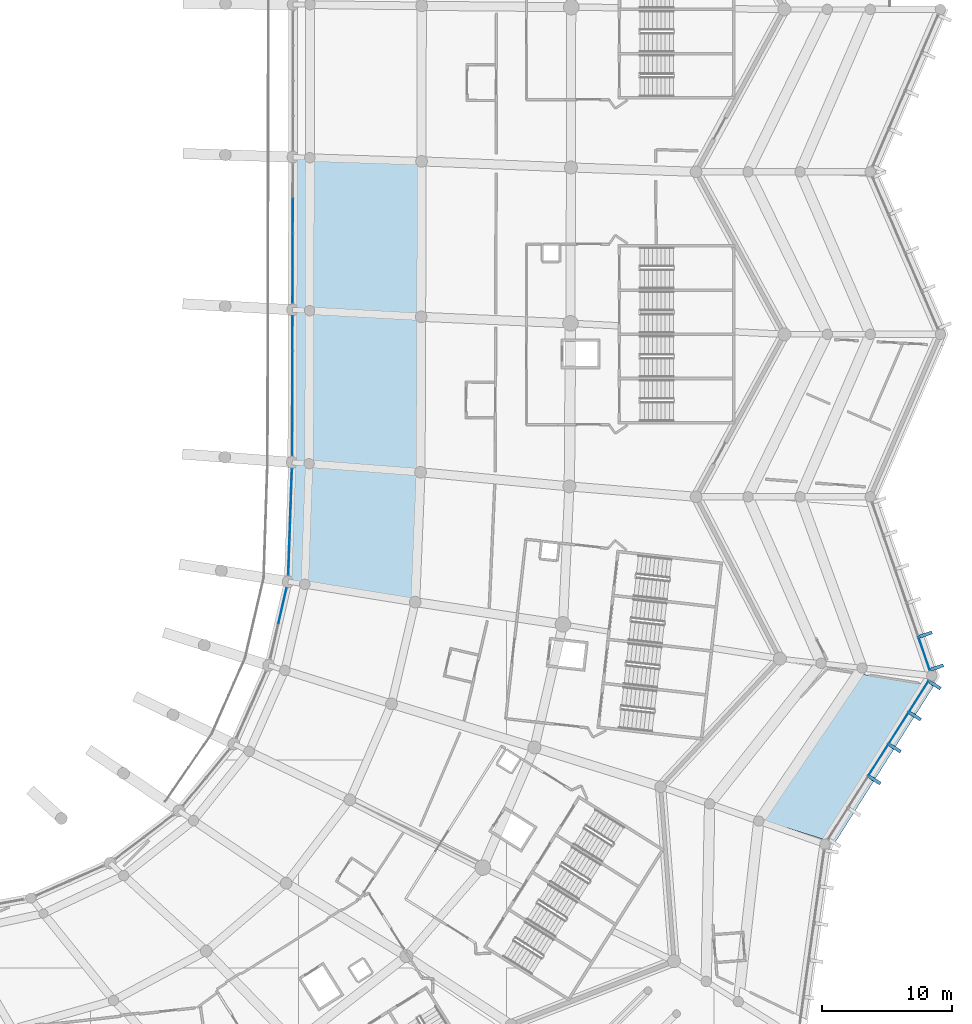
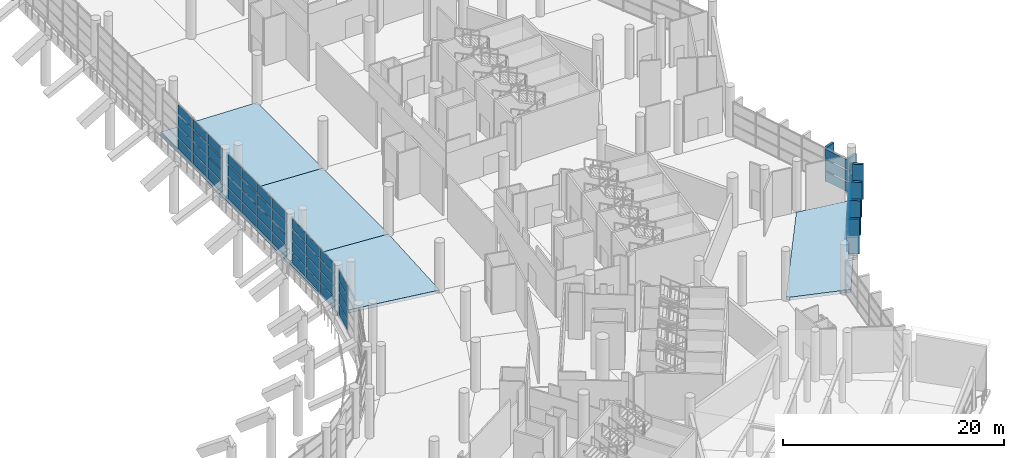
# One storey, part 132 of 271: 62 plates, 4 slabs, 6 elements without a shape of their own.
"""IFC4 building model written with IfcOpenShell, lengths in metres."""

from ifc_helpers import new_model, si_unit, direction, frame, origin, origin_2d, place, context, subcontext, project, spatial, polyline, rectangle, outline, extrude, material, layer, layer_set, type_object, element, aggregate, save


model = new_model("IFC4")

# Units and contexts
model_context = context("Model", 3, precision=1e-05, world=origin(), true_north=direction((0.0, 1.0)))
body_context = subcontext(model_context, "Body", "Model", "MODEL_VIEW")
ifc_project = project(units=[si_unit("LENGTHUNIT", "METRE"), si_unit("AREAUNIT", "SQUARE_METRE"), si_unit("VOLUMEUNIT", "CUBIC_METRE"), si_unit("PLANEANGLEUNIT", "RADIAN"), si_unit("MASSUNIT", "GRAM", prefix="KILO")], contexts=[model_context])

# Site, building, storey
site_placement = place(None, origin())
site = spatial("IfcSite", under=ifc_project, at=site_placement, CompositionType="ELEMENT")
building_placement = place(site_placement, origin())
building = spatial("IfcBuilding", under=site, at=building_placement, Name="Meseta Stadium", CompositionType="ELEMENT")
storey_placement = place(building_placement, frame((0.0, 0.0, 6.5)))
storey = spatial("IfcBuildingStorey", under=building, at=storey_placement, Name="L01", CompositionType="ELEMENT", Elevation=6.5)

# Curtain wall, plates
ifc_material_1 = material(Name="Aluminium", Category="aluminium")
ifc_layer_1 = layer(ifc_material_1, 0.199951171875)
ifc_layer_set_1 = layer_set([ifc_layer_1], Name="Club glazing curtain wall")
curtain_wall_type_1 = type_object("IfcCurtainWallType", Name="Club glazing curtain wall", PredefinedType="NOTDEFINED", material=ifc_layer_set_1)
curtain_wall_1_placement = place(storey_placement, origin())
curtain_wall_1 = element("IfcCurtainWall", 1, at=curtain_wall_1_placement, inside=storey, type_object=curtain_wall_type_1, Name="Club glazing bay 00", PredefinedType="NOTDEFINED")
ifc_material_2 = material(Name="Glass", Category="glass")
ifc_layer_2 = layer(ifc_material_2, 0.028076171875)
ifc_layer_set_2 = layer_set([ifc_layer_2], Name="CW glass panel 28")
plate_type_1 = type_object("IfcPlateType", Name="CW glass panel 28", PredefinedType="CURTAIN_PANEL", material=ifc_layer_set_2)
plate_1_placement = place(storey_placement, frame((63.282470703125, -48.40283203125, 0.1201171875), z_axis=(0.0, 0.0, 1.0), x_axis=(0.034398287063, 0.999408203812, 0.0)))
plate_1 = element("IfcPlate", 2, at=plate_1_placement, type_object=plate_type_1, Name="CWC panel 1.1", PredefinedType="CURTAIN_PANEL", context=body_context, shape_type="SweptSolid", body=[
    extrude(rectangle(XDim=2.6572265625, YDim=0.028076171875, at=origin_2d()), origin(), (0.0, 0.0, 1.0), 1.107421875),
])
plate_2_placement = place(storey_placement, frame((63.282470703125, -48.40283203125, 1.347412109375), z_axis=(0.0, 0.0, 1.0), x_axis=(0.034398287063, 0.999408203812, 0.0)))
plate_2 = element("IfcPlate", 3, at=plate_2_placement, type_object=plate_type_1, Name="CWC panel 1.2", PredefinedType="CURTAIN_PANEL", context=body_context, shape_type="SweptSolid", body=[
    extrude(rectangle(XDim=2.6572265625, YDim=0.028076171875, at=origin_2d()), origin(), (0.0, 0.0, 1.0), 1.16748046875),
])
plate_3_placement = place(storey_placement, frame((63.282470703125, -48.40283203125, 2.635009765625), z_axis=(0.0, 0.0, 1.0), x_axis=(0.034398287063, 0.999408203812, 0.0)))
plate_3 = element("IfcPlate", 4, at=plate_3_placement, type_object=plate_type_1, Name="CWC panel 1.3", PredefinedType="CURTAIN_PANEL", context=body_context, shape_type="SweptSolid", body=[
    extrude(rectangle(XDim=2.6572265625, YDim=0.028076171875, at=origin_2d()), origin(), (0.0, 0.0, 1.0), 1.16748046875),
])
plate_4_placement = place(storey_placement, frame((63.282470703125, -48.40283203125, 3.922607421875), z_axis=(0.0, 0.0, 1.0), x_axis=(0.034398287063, 0.999408203812, 0.0)))
plate_4 = element("IfcPlate", 5, at=plate_4_placement, type_object=plate_type_1, Name="CWC panel 1.4", PredefinedType="CURTAIN_PANEL", context=body_context, shape_type="SweptSolid", body=[
    extrude(rectangle(XDim=2.6572265625, YDim=0.028076171875, at=origin_2d()), origin(), (0.0, 0.0, 1.0), 1.107421875),
])
plate_5_placement = place(storey_placement, frame((63.37646484375, -45.672119140625, 0.1201171875), z_axis=(0.0, 0.0, 1.0), x_axis=(0.034398287063, 0.999408203812, 0.0)))
plate_5 = element("IfcPlate", 6, at=plate_5_placement, type_object=plate_type_1, Name="CWC panel 2.1", PredefinedType="CURTAIN_PANEL", context=body_context, shape_type="SweptSolid", body=[
    extrude(rectangle(XDim=2.687255859375, YDim=0.028076171875, at=origin_2d()), origin(), (0.0, 0.0, 1.0), 1.107421875),
])
plate_6_placement = place(storey_placement, frame((63.37646484375, -45.672119140625, 1.347412109375), z_axis=(0.0, 0.0, 1.0), x_axis=(0.034398287063, 0.999408203812, 0.0)))
plate_6 = element("IfcPlate", 7, at=plate_6_placement, type_object=plate_type_1, Name="CWC panel 2.2", PredefinedType="CURTAIN_PANEL", context=body_context, shape_type="SweptSolid", body=[
    extrude(rectangle(XDim=2.687255859375, YDim=0.028076171875, at=origin_2d()), origin(), (0.0, 0.0, 1.0), 1.16748046875),
])
plate_7_placement = place(storey_placement, frame((63.37646484375, -45.672119140625, 2.635009765625), z_axis=(0.0, 0.0, 1.0), x_axis=(0.034398287063, 0.999408203812, 0.0)))
plate_7 = element("IfcPlate", 8, at=plate_7_placement, type_object=plate_type_1, Name="CWC panel 2.3", PredefinedType="CURTAIN_PANEL", context=body_context, shape_type="SweptSolid", body=[
    extrude(rectangle(XDim=2.687255859375, YDim=0.028076171875, at=origin_2d()), origin(), (0.0, 0.0, 1.0), 1.16748046875),
])
plate_8_placement = place(storey_placement, frame((63.37646484375, -45.672119140625, 3.922607421875), z_axis=(0.0, 0.0, 1.0), x_axis=(0.034398287063, 0.999408203812, 0.0)))
plate_8 = element("IfcPlate", 9, at=plate_8_placement, type_object=plate_type_1, Name="CWC panel 2.4", PredefinedType="CURTAIN_PANEL", context=body_context, shape_type="SweptSolid", body=[
    extrude(rectangle(XDim=2.687255859375, YDim=0.028076171875, at=origin_2d()), origin(), (0.0, 0.0, 1.0), 1.107421875),
])
plate_9_placement = place(storey_placement, frame((63.470458984375, -42.941650390625, 0.1201171875), z_axis=(0.0, 0.0, 1.0), x_axis=(0.034398287063, 0.999408203812, 0.0)))
plate_9 = element("IfcPlate", 10, at=plate_9_placement, type_object=plate_type_1, Name="CWC panel 3.1", PredefinedType="CURTAIN_PANEL", context=body_context, shape_type="SweptSolid", body=[
    extrude(rectangle(XDim=2.6572265625, YDim=0.028076171875, at=origin_2d()), origin(), (0.0, 0.0, 1.0), 1.107421875),
])
plate_10_placement = place(storey_placement, frame((63.470458984375, -42.941650390625, 1.347412109375), z_axis=(0.0, 0.0, 1.0), x_axis=(0.034398287063, 0.999408203812, 0.0)))
plate_10 = element("IfcPlate", 11, at=plate_10_placement, type_object=plate_type_1, Name="CWC panel 3.2", PredefinedType="CURTAIN_PANEL", context=body_context, shape_type="SweptSolid", body=[
    extrude(rectangle(XDim=2.6572265625, YDim=0.028076171875, at=origin_2d()), origin(), (0.0, 0.0, 1.0), 1.16748046875),
])
plate_11_placement = place(storey_placement, frame((63.470458984375, -42.941650390625, 2.635009765625), z_axis=(0.0, 0.0, 1.0), x_axis=(0.034398287063, 0.999408203812, 0.0)))
plate_11 = element("IfcPlate", 12, at=plate_11_placement, type_object=plate_type_1, Name="CWC panel 3.3", PredefinedType="CURTAIN_PANEL", context=body_context, shape_type="SweptSolid", body=[
    extrude(rectangle(XDim=2.6572265625, YDim=0.028076171875, at=origin_2d()), origin(), (0.0, 0.0, 1.0), 1.16748046875),
])
plate_12_placement = place(storey_placement, frame((63.470458984375, -42.941650390625, 3.922607421875), z_axis=(0.0, 0.0, 1.0), x_axis=(0.034398287063, 0.999408203812, 0.0)))
plate_12 = element("IfcPlate", 13, at=plate_12_placement, type_object=plate_type_1, Name="CWC panel 3.4", PredefinedType="CURTAIN_PANEL", context=body_context, shape_type="SweptSolid", body=[
    extrude(rectangle(XDim=2.6572265625, YDim=0.028076171875, at=origin_2d()), origin(), (0.0, 0.0, 1.0), 1.107421875),
])
aggregate(curtain_wall_1, [plate_1, plate_2, plate_3, plate_4, plate_5, plate_6, plate_7, plate_8, plate_9, plate_10, plate_11, plate_12])

curtain_wall_2_placement = place(storey_placement, origin())
curtain_wall_2 = element("IfcCurtainWall", 14, at=curtain_wall_2_placement, inside=storey, type_object=curtain_wall_type_1, Name="Club glazing bay 01", PredefinedType="NOTDEFINED")
plate_13_placement = place(storey_placement, frame((63.538818359375, -39.2578125, 0.1201171875), z_axis=(0.0, 0.0, 1.0), x_axis=(0.002758360998, 0.999996195715, 0.0)))
plate_13 = element("IfcPlate", 15, at=plate_13_placement, type_object=plate_type_1, Name="CWC panel 1.1", PredefinedType="CURTAIN_PANEL", context=body_context, shape_type="SweptSolid", body=[
    extrude(rectangle(XDim=2.613037109375, YDim=0.028076171875, at=origin_2d()), origin(), (0.0, 0.0, 1.0), 1.107421875),
])
plate_14_placement = place(storey_placement, frame((63.538818359375, -39.2578125, 1.347412109375), z_axis=(0.0, 0.0, 1.0), x_axis=(0.002758360998, 0.999996195715, 0.0)))
plate_14 = element("IfcPlate", 16, at=plate_14_placement, type_object=plate_type_1, Name="CWC panel 1.2", PredefinedType="CURTAIN_PANEL", context=body_context, shape_type="SweptSolid", body=[
    extrude(rectangle(XDim=2.613037109375, YDim=0.028076171875, at=origin_2d()), origin(), (0.0, 0.0, 1.0), 1.16748046875),
])
plate_15_placement = place(storey_placement, frame((63.538818359375, -39.2578125, 2.635009765625), z_axis=(0.0, 0.0, 1.0), x_axis=(0.002758360998, 0.999996195715, 0.0)))
plate_15 = element("IfcPlate", 17, at=plate_15_placement, type_object=plate_type_1, Name="CWC panel 1.3", PredefinedType="CURTAIN_PANEL", context=body_context, shape_type="SweptSolid", body=[
    extrude(rectangle(XDim=2.613037109375, YDim=0.028076171875, at=origin_2d()), origin(), (0.0, 0.0, 1.0), 1.16748046875),
])
plate_16_placement = place(storey_placement, frame((63.538818359375, -39.2578125, 3.922607421875), z_axis=(0.0, 0.0, 1.0), x_axis=(0.002758360998, 0.999996195715, 0.0)))
plate_16 = element("IfcPlate", 18, at=plate_16_placement, type_object=plate_type_1, Name="CWC panel 1.4", PredefinedType="CURTAIN_PANEL", context=body_context, shape_type="SweptSolid", body=[
    extrude(rectangle(XDim=2.613037109375, YDim=0.028076171875, at=origin_2d()), origin(), (0.0, 0.0, 1.0), 1.107421875),
])
plate_17_placement = place(storey_placement, frame((63.546142578125, -36.56982421875, 0.1201171875), z_axis=(0.0, 0.0, 1.0), x_axis=(0.002758360998, 0.999996195715, 0.0)))
plate_17 = element("IfcPlate", 19, at=plate_17_placement, type_object=plate_type_1, Name="CWC panel 2.1", PredefinedType="CURTAIN_PANEL", context=body_context, shape_type="SweptSolid", body=[
    extrude(rectangle(XDim=2.64306640625, YDim=0.028076171875, at=origin_2d()), origin(), (0.0, 0.0, 1.0), 1.107421875),
])
plate_18_placement = place(storey_placement, frame((63.546142578125, -36.56982421875, 1.347412109375), z_axis=(0.0, 0.0, 1.0), x_axis=(0.002758360998, 0.999996195715, 0.0)))
plate_18 = element("IfcPlate", 20, at=plate_18_placement, type_object=plate_type_1, Name="CWC panel 2.2", PredefinedType="CURTAIN_PANEL", context=body_context, shape_type="SweptSolid", body=[
    extrude(rectangle(XDim=2.64306640625, YDim=0.028076171875, at=origin_2d()), origin(), (0.0, 0.0, 1.0), 1.16748046875),
])
plate_19_placement = place(storey_placement, frame((63.546142578125, -36.56982421875, 2.635009765625), z_axis=(0.0, 0.0, 1.0), x_axis=(0.002758360998, 0.999996195715, 0.0)))
plate_19 = element("IfcPlate", 21, at=plate_19_placement, type_object=plate_type_1, Name="CWC panel 2.3", PredefinedType="CURTAIN_PANEL", context=body_context, shape_type="SweptSolid", body=[
    extrude(rectangle(XDim=2.64306640625, YDim=0.028076171875, at=origin_2d()), origin(), (0.0, 0.0, 1.0), 1.16748046875),
])
plate_20_placement = place(storey_placement, frame((63.546142578125, -36.56982421875, 3.922607421875), z_axis=(0.0, 0.0, 1.0), x_axis=(0.002758360998, 0.999996195715, 0.0)))
plate_20 = element("IfcPlate", 22, at=plate_20_placement, type_object=plate_type_1, Name="CWC panel 2.4", PredefinedType="CURTAIN_PANEL", context=body_context, shape_type="SweptSolid", body=[
    extrude(rectangle(XDim=2.64306640625, YDim=0.028076171875, at=origin_2d()), origin(), (0.0, 0.0, 1.0), 1.107421875),
])
plate_21_placement = place(storey_placement, frame((63.5537109375, -33.86669921875, 0.1201171875), z_axis=(0.0, 0.0, 1.0), x_axis=(0.002758360998, 0.999996195715, 0.0)))
plate_21 = element("IfcPlate", 23, at=plate_21_placement, type_object=plate_type_1, Name="CWC panel 3.1", PredefinedType="CURTAIN_PANEL", context=body_context, shape_type="SweptSolid", body=[
    extrude(rectangle(XDim=2.64306640625, YDim=0.028076171875, at=origin_2d()), origin(), (0.0, 0.0, 1.0), 1.107421875),
])
plate_22_placement = place(storey_placement, frame((63.5537109375, -33.86669921875, 1.347412109375), z_axis=(0.0, 0.0, 1.0), x_axis=(0.002758360998, 0.999996195715, 0.0)))
plate_22 = element("IfcPlate", 24, at=plate_22_placement, type_object=plate_type_1, Name="CWC panel 3.2", PredefinedType="CURTAIN_PANEL", context=body_context, shape_type="SweptSolid", body=[
    extrude(rectangle(XDim=2.64306640625, YDim=0.028076171875, at=origin_2d()), origin(), (0.0, 0.0, 1.0), 1.16748046875),
])
plate_23_placement = place(storey_placement, frame((63.5537109375, -33.86669921875, 2.635009765625), z_axis=(0.0, 0.0, 1.0), x_axis=(0.002758360998, 0.999996195715, 0.0)))
plate_23 = element("IfcPlate", 25, at=plate_23_placement, type_object=plate_type_1, Name="CWC panel 3.3", PredefinedType="CURTAIN_PANEL", context=body_context, shape_type="SweptSolid", body=[
    extrude(rectangle(XDim=2.64306640625, YDim=0.028076171875, at=origin_2d()), origin(), (0.0, 0.0, 1.0), 1.16748046875),
])
plate_24_placement = place(storey_placement, frame((63.5537109375, -33.86669921875, 3.922607421875), z_axis=(0.0, 0.0, 1.0), x_axis=(0.002758360998, 0.999996195715, 0.0)))
plate_24 = element("IfcPlate", 26, at=plate_24_placement, type_object=plate_type_1, Name="CWC panel 3.4", PredefinedType="CURTAIN_PANEL", context=body_context, shape_type="SweptSolid", body=[
    extrude(rectangle(XDim=2.64306640625, YDim=0.028076171875, at=origin_2d()), origin(), (0.0, 0.0, 1.0), 1.107421875),
])
plate_25_placement = place(storey_placement, frame((63.56103515625, -31.1787109375, 0.1201171875), z_axis=(0.0, 0.0, 1.0), x_axis=(0.002758360998, 0.999996195715, 0.0)))
plate_25 = element("IfcPlate", 27, at=plate_25_placement, type_object=plate_type_1, Name="CWC panel 4.1", PredefinedType="CURTAIN_PANEL", context=body_context, shape_type="SweptSolid", body=[
    extrude(rectangle(XDim=2.613037109375, YDim=0.028076171875, at=origin_2d()), origin(), (0.0, 0.0, 1.0), 1.107421875),
])
plate_26_placement = place(storey_placement, frame((63.56103515625, -31.1787109375, 1.347412109375), z_axis=(0.0, 0.0, 1.0), x_axis=(0.002758360998, 0.999996195715, 0.0)))
plate_26 = element("IfcPlate", 28, at=plate_26_placement, type_object=plate_type_1, Name="CWC panel 4.2", PredefinedType="CURTAIN_PANEL", context=body_context, shape_type="SweptSolid", body=[
    extrude(rectangle(XDim=2.613037109375, YDim=0.028076171875, at=origin_2d()), origin(), (0.0, 0.0, 1.0), 1.16748046875),
])
plate_27_placement = place(storey_placement, frame((63.56103515625, -31.1787109375, 2.635009765625), z_axis=(0.0, 0.0, 1.0), x_axis=(0.002758360998, 0.999996195715, 0.0)))
plate_27 = element("IfcPlate", 29, at=plate_27_placement, type_object=plate_type_1, Name="CWC panel 4.3", PredefinedType="CURTAIN_PANEL", context=body_context, shape_type="SweptSolid", body=[
    extrude(rectangle(XDim=2.613037109375, YDim=0.028076171875, at=origin_2d()), origin(), (0.0, 0.0, 1.0), 1.16748046875),
])
plate_28_placement = place(storey_placement, frame((63.56103515625, -31.1787109375, 3.922607421875), z_axis=(0.0, 0.0, 1.0), x_axis=(0.002758360998, 0.999996195715, 0.0)))
plate_28 = element("IfcPlate", 30, at=plate_28_placement, type_object=plate_type_1, Name="CWC panel 4.4", PredefinedType="CURTAIN_PANEL", context=body_context, shape_type="SweptSolid", body=[
    extrude(rectangle(XDim=2.613037109375, YDim=0.028076171875, at=origin_2d()), origin(), (0.0, 0.0, 1.0), 1.107421875),
])
aggregate(curtain_wall_2, [plate_13, plate_14, plate_15, plate_16, plate_17, plate_18, plate_19, plate_20, plate_21, plate_22, plate_23, plate_24, plate_25, plate_26, plate_27, plate_28])

curtain_wall_3_placement = place(storey_placement, origin())
curtain_wall_3 = element("IfcCurtainWall", 31, at=curtain_wall_3_placement, inside=storey, type_object=curtain_wall_type_1, Name="Club glazing bay 02", PredefinedType="NOTDEFINED")
plate_29_placement = place(storey_placement, frame((63.569580078125, -27.515869140625, 0.1201171875), z_axis=(0.0, 0.0, 1.0), x_axis=(0.0018452545, 0.999998297516, 0.0)))
plate_29 = element("IfcPlate", 32, at=plate_29_placement, type_object=plate_type_1, Name="CWC panel 1.1", PredefinedType="CURTAIN_PANEL", context=body_context, shape_type="SweptSolid", body=[
    extrude(rectangle(XDim=2.61376953125, YDim=0.028076171875, at=origin_2d()), origin(), (0.0, 0.0, 1.0), 1.107421875),
])
plate_30_placement = place(storey_placement, frame((63.569580078125, -27.515869140625, 1.347412109375), z_axis=(0.0, 0.0, 1.0), x_axis=(0.0018452545, 0.999998297516, 0.0)))
plate_30 = element("IfcPlate", 33, at=plate_30_placement, type_object=plate_type_1, Name="CWC panel 1.2", PredefinedType="CURTAIN_PANEL", context=body_context, shape_type="SweptSolid", body=[
    extrude(rectangle(XDim=2.61376953125, YDim=0.028076171875, at=origin_2d()), origin(), (0.0, 0.0, 1.0), 1.16748046875),
])
plate_31_placement = place(storey_placement, frame((63.569580078125, -27.515869140625, 2.635009765625), z_axis=(0.0, 0.0, 1.0), x_axis=(0.0018452545, 0.999998297516, 0.0)))
plate_31 = element("IfcPlate", 34, at=plate_31_placement, type_object=plate_type_1, Name="CWC panel 1.3", PredefinedType="CURTAIN_PANEL", context=body_context, shape_type="SweptSolid", body=[
    extrude(rectangle(XDim=2.61376953125, YDim=0.028076171875, at=origin_2d()), origin(), (0.0, 0.0, 1.0), 1.16748046875),
])
plate_32_placement = place(storey_placement, frame((63.569580078125, -27.515869140625, 3.922607421875), z_axis=(0.0, 0.0, 1.0), x_axis=(0.0018452545, 0.999998297516, 0.0)))
plate_32 = element("IfcPlate", 35, at=plate_32_placement, type_object=plate_type_1, Name="CWC panel 1.4", PredefinedType="CURTAIN_PANEL", context=body_context, shape_type="SweptSolid", body=[
    extrude(rectangle(XDim=2.61376953125, YDim=0.028076171875, at=origin_2d()), origin(), (0.0, 0.0, 1.0), 1.107421875),
])
plate_33_placement = place(storey_placement, frame((63.574462890625, -24.8271484375, 0.1201171875), z_axis=(0.0, 0.0, 1.0), x_axis=(0.0018452545, 0.999998297516, 0.0)))
plate_33 = element("IfcPlate", 36, at=plate_33_placement, type_object=plate_type_1, Name="CWC panel 2.1", PredefinedType="CURTAIN_PANEL", context=body_context, shape_type="SweptSolid", body=[
    extrude(rectangle(XDim=2.6435546875, YDim=0.028076171875, at=origin_2d()), origin(), (0.0, 0.0, 1.0), 1.107421875),
])
plate_34_placement = place(storey_placement, frame((63.574462890625, -24.8271484375, 1.347412109375), z_axis=(0.0, 0.0, 1.0), x_axis=(0.0018452545, 0.999998297516, 0.0)))
plate_34 = element("IfcPlate", 37, at=plate_34_placement, type_object=plate_type_1, Name="CWC panel 2.2", PredefinedType="CURTAIN_PANEL", context=body_context, shape_type="SweptSolid", body=[
    extrude(rectangle(XDim=2.6435546875, YDim=0.028076171875, at=origin_2d()), origin(), (0.0, 0.0, 1.0), 1.16748046875),
])
plate_35_placement = place(storey_placement, frame((63.574462890625, -24.8271484375, 2.635009765625), z_axis=(0.0, 0.0, 1.0), x_axis=(0.0018452545, 0.999998297516, 0.0)))
plate_35 = element("IfcPlate", 38, at=plate_35_placement, type_object=plate_type_1, Name="CWC panel 2.3", PredefinedType="CURTAIN_PANEL", context=body_context, shape_type="SweptSolid", body=[
    extrude(rectangle(XDim=2.6435546875, YDim=0.028076171875, at=origin_2d()), origin(), (0.0, 0.0, 1.0), 1.16748046875),
])
plate_36_placement = place(storey_placement, frame((63.574462890625, -24.8271484375, 3.922607421875), z_axis=(0.0, 0.0, 1.0), x_axis=(0.0018452545, 0.999998297516, 0.0)))
plate_36 = element("IfcPlate", 39, at=plate_36_placement, type_object=plate_type_1, Name="CWC panel 2.4", PredefinedType="CURTAIN_PANEL", context=body_context, shape_type="SweptSolid", body=[
    extrude(rectangle(XDim=2.6435546875, YDim=0.028076171875, at=origin_2d()), origin(), (0.0, 0.0, 1.0), 1.107421875),
])
plate_37_placement = place(storey_placement, frame((63.57958984375, -22.12353515625, 0.1201171875), z_axis=(0.0, 0.0, 1.0), x_axis=(0.0018452545, 0.999998297516, 0.0)))
plate_37 = element("IfcPlate", 40, at=plate_37_placement, type_object=plate_type_1, Name="CWC panel 3.1", PredefinedType="CURTAIN_PANEL", context=body_context, shape_type="SweptSolid", body=[
    extrude(rectangle(XDim=2.6435546875, YDim=0.028076171875, at=origin_2d()), origin(), (0.0, 0.0, 1.0), 1.107421875),
])
plate_38_placement = place(storey_placement, frame((63.57958984375, -22.12353515625, 1.347412109375), z_axis=(0.0, 0.0, 1.0), x_axis=(0.0018452545, 0.999998297516, 0.0)))
plate_38 = element("IfcPlate", 41, at=plate_38_placement, type_object=plate_type_1, Name="CWC panel 3.2", PredefinedType="CURTAIN_PANEL", context=body_context, shape_type="SweptSolid", body=[
    extrude(rectangle(XDim=2.6435546875, YDim=0.028076171875, at=origin_2d()), origin(), (0.0, 0.0, 1.0), 1.16748046875),
])
plate_39_placement = place(storey_placement, frame((63.57958984375, -22.12353515625, 2.635009765625), z_axis=(0.0, 0.0, 1.0), x_axis=(0.0018452545, 0.999998297516, 0.0)))
plate_39 = element("IfcPlate", 42, at=plate_39_placement, type_object=plate_type_1, Name="CWC panel 3.3", PredefinedType="CURTAIN_PANEL", context=body_context, shape_type="SweptSolid", body=[
    extrude(rectangle(XDim=2.6435546875, YDim=0.028076171875, at=origin_2d()), origin(), (0.0, 0.0, 1.0), 1.16748046875),
])
plate_40_placement = place(storey_placement, frame((63.57958984375, -22.12353515625, 3.922607421875), z_axis=(0.0, 0.0, 1.0), x_axis=(0.0018452545, 0.999998297516, 0.0)))
plate_40 = element("IfcPlate", 43, at=plate_40_placement, type_object=plate_type_1, Name="CWC panel 3.4", PredefinedType="CURTAIN_PANEL", context=body_context, shape_type="SweptSolid", body=[
    extrude(rectangle(XDim=2.6435546875, YDim=0.028076171875, at=origin_2d()), origin(), (0.0, 0.0, 1.0), 1.107421875),
])
aggregate(curtain_wall_3, [plate_29, plate_30, plate_31, plate_32, plate_33, plate_34, plate_35, plate_36, plate_37, plate_38, plate_39, plate_40])

curtain_wall_4_placement = place(storey_placement, origin())
curtain_wall_4 = element("IfcCurtainWall", 44, at=curtain_wall_4_placement, inside=storey, type_object=curtain_wall_type_1, Name="Club glazing bay 55", PredefinedType="NOTDEFINED")
plate_41_placement = place(storey_placement, frame((62.786865234375, -52.132080078125, 0.1201171875), z_axis=(0.0, 0.0, 1.0), x_axis=(0.226048245529, 0.974116107399, 0.0)))
plate_41 = element("IfcPlate", 45, at=plate_41_placement, type_object=plate_type_1, Name="CWC panel 2.1", PredefinedType="CURTAIN_PANEL", context=body_context, shape_type="SweptSolid", body=[
    extrude(rectangle(XDim=2.736572265625, YDim=0.028076171875, at=origin_2d()), origin(), (0.0, 0.0, 1.0), 1.107421875),
])
plate_42_placement = place(storey_placement, frame((62.786865234375, -52.132080078125, 1.347412109375), z_axis=(0.0, 0.0, 1.0), x_axis=(0.226048245529, 0.974116107399, 0.0)))
plate_42 = element("IfcPlate", 46, at=plate_42_placement, type_object=plate_type_1, Name="CWC panel 2.2", PredefinedType="CURTAIN_PANEL", context=body_context, shape_type="SweptSolid", body=[
    extrude(rectangle(XDim=2.736572265625, YDim=0.028076171875, at=origin_2d()), origin(), (0.0, 0.0, 1.0), 1.16748046875),
])
plate_43_placement = place(storey_placement, frame((62.786865234375, -52.132080078125, 2.635009765625), z_axis=(0.0, 0.0, 1.0), x_axis=(0.226048245529, 0.974116107399, 0.0)))
plate_43 = element("IfcPlate", 47, at=plate_43_placement, type_object=plate_type_1, Name="CWC panel 2.3", PredefinedType="CURTAIN_PANEL", context=body_context, shape_type="SweptSolid", body=[
    extrude(rectangle(XDim=2.736572265625, YDim=0.028076171875, at=origin_2d()), origin(), (0.0, 0.0, 1.0), 1.16748046875),
])
plate_44_placement = place(storey_placement, frame((62.786865234375, -52.132080078125, 3.922607421875), z_axis=(0.0, 0.0, 1.0), x_axis=(0.226048245529, 0.974116107399, 0.0)))
plate_44 = element("IfcPlate", 48, at=plate_44_placement, type_object=plate_type_1, Name="CWC panel 2.4", PredefinedType="CURTAIN_PANEL", context=body_context, shape_type="SweptSolid", body=[
    extrude(rectangle(XDim=2.736572265625, YDim=0.028076171875, at=origin_2d()), origin(), (0.0, 0.0, 1.0), 1.107421875),
])
aggregate(curtain_wall_4, [plate_41, plate_42, plate_43, plate_44])

# Slabs
ifc_material_3 = material(Name="Concrete C40/50", Category="concrete")
ifc_layer_3 = layer(ifc_material_3, 0.35009765625)
ifc_layer_set_3 = layer_set([ifc_layer_3], Name="Floor slab 350")
slab_type = type_object("IfcSlabType", Name="Floor slab 350", PredefinedType="FLOOR", material=ifc_layer_set_3)
slab_1_placement = place(storey_placement, frame((0.0, 0.0, -0.35009765625)))
element("IfcSlab", 49, at=slab_1_placement, inside=storey, type_object=slab_type, Name="Floor slab L01 sector 00 panel 01", PredefinedType="FLOOR", context=body_context, shape_type="SweptSolid", body=[
    extrude(outline(polyline([(63.513427734375, -46.974853515625), (63.448974609375, -48.077392578125), (63.3505859375, -49.177001953125), (63.219482421875, -50.26318359375), (72.99267578125, -51.837158203125), (73.40478515625, -41.8623046875), (63.53369140625, -41.1044921875), (63.513427734375, -46.974853515625)])), origin(), (0.0, 0.0, 1.0), 0.35009765625),
])
slab_2_placement = place(storey_placement, frame((0.0, 0.0, -0.35009765625)))
element("IfcSlab", 50, at=slab_2_placement, inside=storey, type_object=slab_type, Name="Floor slab L01 sector 00 panel 02", PredefinedType="FLOOR", context=body_context, shape_type="SweptSolid", body=[
    extrude(outline(polyline([(73.451416015625, -29.904052734375), (63.566162109375, -29.3623046875), (63.556396484375, -33.276611328125), (63.53369140625, -41.1044921875), (73.40478515625, -41.8623046875), (73.451416015625, -29.904052734375)])), origin(), (0.0, 0.0, 1.0), 0.35009765625),
])
slab_3_placement = place(storey_placement, frame((0.0, 0.0, -0.35009765625)))
element("IfcSlab", 51, at=slab_3_placement, inside=storey, type_object=slab_type, Name="Floor slab L01 sector 00 panel 03", PredefinedType="FLOOR", context=body_context, shape_type="SweptSolid", body=[
    extrude(outline(polyline([(73.482421875, -17.943603515625), (63.587890625, -17.617919921875), (63.581787109375, -21.532958984375), (63.566162109375, -29.3623046875), (73.451416015625, -29.904052734375), (73.482421875, -17.943603515625)])), origin(), (0.0, 0.0, 1.0), 0.35009765625),
])
slab_4_placement = place(storey_placement, frame((0.0, 0.0, -0.35009765625)))
element("IfcSlab", 52, at=slab_4_placement, inside=storey, type_object=slab_type, Name="Ring floor slab L01 8 part 1 panel 05", PredefinedType="FLOOR", context=body_context, shape_type="SweptSolid", body=[
    extrude(outline(polyline([(104.625244140625, -70.087646484375), (104.722412109375, -70.1279296875), (104.805908203125, -70.19189453125), (104.837646484375, -70.233154296875), (105.27880859375, -70.37158203125), (112.895263671875, -58.283935546875), (107.08056640625, -57.347412109375), (99.64794921875, -68.361572265625), (99.708984375, -68.408447265625), (99.773193359375, -68.4921875), (99.8134765625, -68.58935546875), (99.822998046875, -68.660888671875), (104.397705078125, -70.09521484375), (104.416259765625, -70.087646484375), (104.520751953125, -70.073974609375), (104.625244140625, -70.087646484375)])), origin(), (0.0, 0.0, 1.0), 0.35009765625),
])

# Curtain wall, plates
ifc_material_4 = material(Name="Aluminium", Category="aluminium")
ifc_layer_4 = layer(ifc_material_4, 0.199951171875)
ifc_layer_set_4 = layer_set([ifc_layer_4], Name="Ring shopfront curtain wall")
curtain_wall_type_2 = type_object("IfcCurtainWallType", Name="Ring shopfront curtain wall", PredefinedType="NOTDEFINED", material=ifc_layer_set_4)
curtain_wall_5_placement = place(storey_placement, origin())
curtain_wall_5 = element("IfcCurtainWall", 53, at=curtain_wall_5_placement, inside=storey, type_object=curtain_wall_type_2, Name="Ring glazing L01 F55", PredefinedType="NOTDEFINED")
ifc_material_5 = material(Name="Glass", Category="glass")
ifc_layer_5 = layer(ifc_material_5, 0.035888671875)
ifc_layer_set_5 = layer_set([ifc_layer_5], Name="Ring CW glass panel 36")
plate_type_2 = type_object("IfcPlateType", Name="Ring CW glass panel 36", PredefinedType="CURTAIN_PANEL", material=ifc_layer_set_5)
plate_45_placement = place(storey_placement, frame((108.629638671875, -63.99853515625, 0.14990234375), z_axis=(0.0, 0.0, 1.0), x_axis=(0.535569055659, 0.844491436677, 0.0)))
plate_45 = element("IfcPlate", 54, at=plate_45_placement, type_object=plate_type_2, Name="CWR1 panel 3.1", PredefinedType="CURTAIN_PANEL", context=body_context, shape_type="SweptSolid", body=[
    extrude(rectangle(XDim=2.848876953125, YDim=0.035888671875, at=origin_2d()), origin(), (0.0, 0.0, 1.0), 1.058349609375),
])
plate_46_placement = place(storey_placement, frame((108.629638671875, -63.99853515625, 1.3583984375), z_axis=(0.0, 0.0, 1.0), x_axis=(0.535569055659, 0.844491436677, 0.0)))
plate_46 = element("IfcPlate", 55, at=plate_46_placement, type_object=plate_type_2, Name="CWR1 panel 3.2", PredefinedType="CURTAIN_PANEL", context=body_context, shape_type="SweptSolid", body=[
    extrude(rectangle(XDim=2.848876953125, YDim=0.035888671875, at=origin_2d()), origin(), (0.0, 0.0, 1.0), 1.13330078125),
])
plate_47_placement = place(storey_placement, frame((108.629638671875, -63.99853515625, 2.6416015625), z_axis=(0.0, 0.0, 1.0), x_axis=(0.535569055659, 0.844491436677, 0.0)))
plate_47 = element("IfcPlate", 56, at=plate_47_placement, type_object=plate_type_2, Name="CWR1 panel 3.3", PredefinedType="CURTAIN_PANEL", context=body_context, shape_type="SweptSolid", body=[
    extrude(rectangle(XDim=2.848876953125, YDim=0.035888671875, at=origin_2d()), origin(), (0.0, 0.0, 1.0), 1.058349609375),
])
plate_48_placement = place(storey_placement, frame((110.1875, -61.5419921875, 0.14990234375), z_axis=(0.0, 0.0, 1.0), x_axis=(0.535569055659, 0.844491436677, 0.0)))
plate_48 = element("IfcPlate", 57, at=plate_48_placement, type_object=plate_type_2, Name="CWR1 panel 4.1", PredefinedType="CURTAIN_PANEL", context=body_context, shape_type="SweptSolid", body=[
    extrude(rectangle(XDim=2.848876953125, YDim=0.035888671875, at=origin_2d()), origin(), (0.0, 0.0, 1.0), 1.058349609375),
])
plate_49_placement = place(storey_placement, frame((110.1875, -61.5419921875, 1.3583984375), z_axis=(0.0, 0.0, 1.0), x_axis=(0.535569055659, 0.844491436677, 0.0)))
plate_49 = element("IfcPlate", 58, at=plate_49_placement, type_object=plate_type_2, Name="CWR1 panel 4.2", PredefinedType="CURTAIN_PANEL", context=body_context, shape_type="SweptSolid", body=[
    extrude(rectangle(XDim=2.848876953125, YDim=0.035888671875, at=origin_2d()), origin(), (0.0, 0.0, 1.0), 1.13330078125),
])
plate_50_placement = place(storey_placement, frame((110.1875, -61.5419921875, 2.6416015625), z_axis=(0.0, 0.0, 1.0), x_axis=(0.535569055659, 0.844491436677, 0.0)))
plate_50 = element("IfcPlate", 59, at=plate_50_placement, type_object=plate_type_2, Name="CWR1 panel 4.3", PredefinedType="CURTAIN_PANEL", context=body_context, shape_type="SweptSolid", body=[
    extrude(rectangle(XDim=2.848876953125, YDim=0.035888671875, at=origin_2d()), origin(), (0.0, 0.0, 1.0), 1.058349609375),
])
plate_51_placement = place(storey_placement, frame((111.7373046875, -59.098388671875, 0.14990234375), z_axis=(0.0, 0.0, 1.0), x_axis=(0.535569055659, 0.844491436677, 0.0)))
plate_51 = element("IfcPlate", 60, at=plate_51_placement, type_object=plate_type_2, Name="CWR1 panel 5.1", PredefinedType="CURTAIN_PANEL", context=body_context, shape_type="SweptSolid", body=[
    extrude(rectangle(XDim=2.81884765625, YDim=0.035888671875, at=origin_2d()), origin(), (0.0, 0.0, 1.0), 1.058349609375),
])
plate_52_placement = place(storey_placement, frame((111.7373046875, -59.098388671875, 1.3583984375), z_axis=(0.0, 0.0, 1.0), x_axis=(0.535569055659, 0.844491436677, 0.0)))
plate_52 = element("IfcPlate", 61, at=plate_52_placement, type_object=plate_type_2, Name="CWR1 panel 5.2", PredefinedType="CURTAIN_PANEL", context=body_context, shape_type="SweptSolid", body=[
    extrude(rectangle(XDim=2.81884765625, YDim=0.035888671875, at=origin_2d()), origin(), (0.0, 0.0, 1.0), 1.13330078125),
])
plate_53_placement = place(storey_placement, frame((111.7373046875, -59.098388671875, 2.6416015625), z_axis=(0.0, 0.0, 1.0), x_axis=(0.535569055659, 0.844491436677, 0.0)))
plate_53 = element("IfcPlate", 62, at=plate_53_placement, type_object=plate_type_2, Name="CWR1 panel 5.3", PredefinedType="CURTAIN_PANEL", context=body_context, shape_type="SweptSolid", body=[
    extrude(rectangle(XDim=2.81884765625, YDim=0.035888671875, at=origin_2d()), origin(), (0.0, 0.0, 1.0), 1.058349609375),
])
aggregate(curtain_wall_5, [plate_45, plate_46, plate_47, plate_48, plate_49, plate_50, plate_51, plate_52, plate_53])

curtain_wall_6_placement = place(storey_placement, origin())
curtain_wall_6 = element("IfcCurtainWall", 63, at=curtain_wall_6_placement, inside=storey, type_object=curtain_wall_type_2, Name="Ring glazing L01 F00", PredefinedType="NOTDEFINED")
plate_54_placement = place(storey_placement, frame((112.155517578125, -55.825927734375, 0.14990234375), z_axis=(0.0, 0.0, 1.0), x_axis=(-0.325385990532, 0.945581280042, 0.0)))
plate_54 = element("IfcPlate", 64, at=plate_54_placement, type_object=plate_type_2, Name="CWR1 panel 1.1", PredefinedType="CURTAIN_PANEL", context=body_context, shape_type="SweptSolid", body=[
    extrude(rectangle(XDim=2.662353515625, YDim=0.035888671875, at=origin_2d()), origin(), (0.0, 0.0, 1.0), 1.058349609375),
])
plate_55_placement = place(storey_placement, frame((112.155517578125, -55.825927734375, 1.3583984375), z_axis=(0.0, 0.0, 1.0), x_axis=(-0.325385990532, 0.945581280042, 0.0)))
plate_55 = element("IfcPlate", 65, at=plate_55_placement, type_object=plate_type_2, Name="CWR1 panel 1.2", PredefinedType="CURTAIN_PANEL", context=body_context, shape_type="SweptSolid", body=[
    extrude(rectangle(XDim=2.662353515625, YDim=0.035888671875, at=origin_2d()), origin(), (0.0, 0.0, 1.0), 1.13330078125),
])
plate_56_placement = place(storey_placement, frame((112.155517578125, -55.825927734375, 2.6416015625), z_axis=(0.0, 0.0, 1.0), x_axis=(-0.325385990532, 0.945581280042, 0.0)))
plate_56 = element("IfcPlate", 66, at=plate_56_placement, type_object=plate_type_2, Name="CWR1 panel 1.3", PredefinedType="CURTAIN_PANEL", context=body_context, shape_type="SweptSolid", body=[
    extrude(rectangle(XDim=2.662353515625, YDim=0.035888671875, at=origin_2d()), origin(), (0.0, 0.0, 1.0), 1.058349609375),
])
aggregate(curtain_wall_6, [plate_54, plate_55, plate_56])

# Plates
ifc_material_6 = material(Name="Precast concrete C40/50", Category="concrete")
ifc_layer_6 = layer(ifc_material_6, 0.25)
ifc_layer_set_6 = layer_set([ifc_layer_6], Name="Ring brise-soleil fin 250x1000")
plate_type_3 = type_object("IfcPlateType", Name="Ring brise-soleil fin 250x1000", PredefinedType="USERDEFINED", material=ifc_layer_set_6)
for number, where, z_axis, x_axis, name in (
    (67, (108.357421875, -65.548095703125, 0.0), (0.0, 0.0, 1.0), (0.5355688847, 0.844491545098, 0.0), "Brise-soleil fin L01 F55.3"),
    (68, (109.915283203125, -63.091552734375, 0.0), (0.0, 0.0, 1.0), (0.5355688847, 0.844491545098, 0.0), "Brise-soleil fin L01 F55.4"),
    (69, (111.472900390625, -60.63525390625, 0.0), (0.0, 0.0, 1.0), (0.5355688847, 0.844491545098, 0.0), "Brise-soleil fin L01 F55.5"),
    (70, (112.99072265625, -58.2421875, 0.0), (0.0, 0.0, 1.0), (0.5355688847, 0.844491545098, 0.0), "Brise-soleil fin L01 F55.6"),
    (71, (113.151123046875, -56.875244140625, 0.0), (0.0, 0.0, 1.0), (-0.325393223316, 0.945578791122, 0.0), "Brise-soleil fin L01 F00.1"),
    (72, (112.280029296875, -54.343505859375, 0.0), (0.0, 0.0, 1.0), (-0.325393223316, 0.945578791122, 0.0), "Brise-soleil fin L01 F00.2"),
):
    element("IfcPlate", number, at=place(storey_placement, frame(where, z_axis=z_axis, x_axis=x_axis)), inside=storey, type_object=plate_type_3, Name=name, ObjectType="FIN", PredefinedType="USERDEFINED", context=body_context, shape_type="SweptSolid", body=[
        extrude(rectangle(XDim=0.25, YDim=1.0, at=origin_2d()), origin(), (0.0, 0.0, 1.0), 3.85009765625),
    ])

save(model, "model.ifc")
